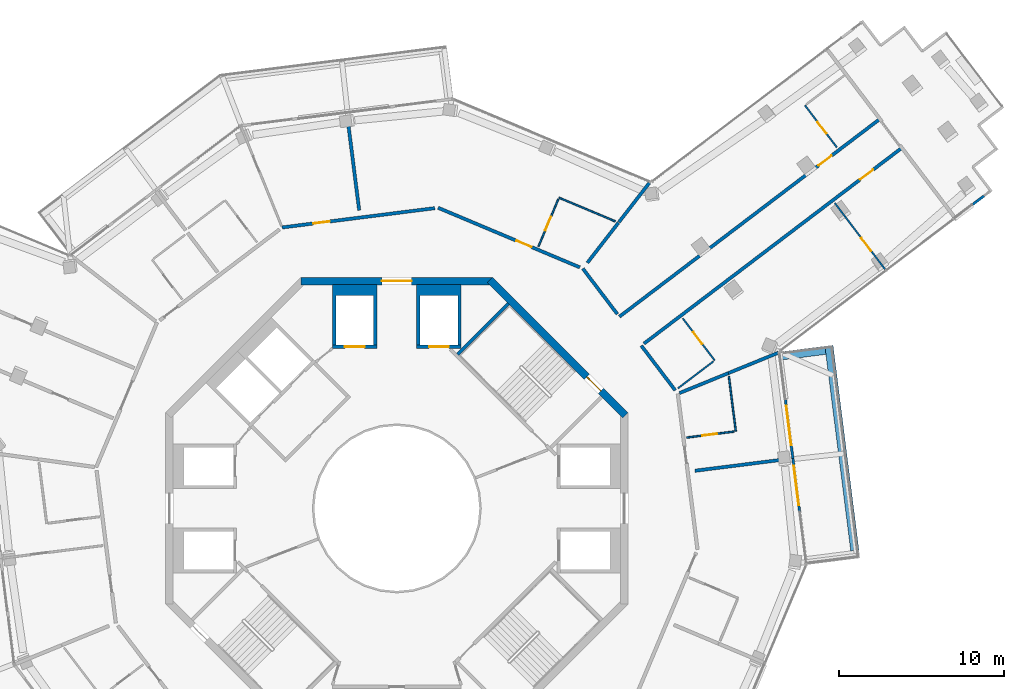
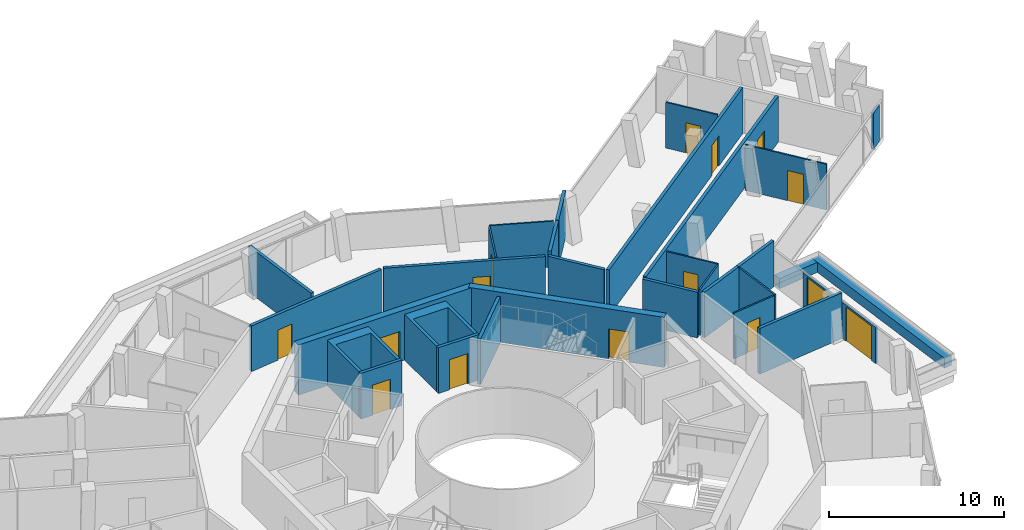
# One storey, part 22 of 26: 32 walls, 15 doors, 15 openings.
"""IFC4 building model written with IfcOpenShell, lengths in metres."""

from ifc_helpers import new_model, si_unit, direction, frame, frame_2d, origin, place, context, subcontext, project, spatial, polyline, rectangle, outline, extrude, material, layer, layer_set, type_object, element, fill, save


model = new_model("IFC4")

# Units and contexts
model_context = context("Model", 3, precision=1e-05, world=origin(), true_north=direction((0.0, 1.0)))
body_context = subcontext(model_context, "Body", "Model", "MODEL_VIEW")
ifc_project = project(units=[si_unit("LENGTHUNIT", "METRE"), si_unit("AREAUNIT", "SQUARE_METRE"), si_unit("VOLUMEUNIT", "CUBIC_METRE"), si_unit("PLANEANGLEUNIT", "RADIAN"), si_unit("MASSUNIT", "GRAM", prefix="KILO")], contexts=[model_context])

# Site, building, storey
site_placement = place(None, origin())
site = spatial("IfcSite", under=ifc_project, at=site_placement, CompositionType="ELEMENT")
building_placement = place(site_placement, origin())
building = spatial("IfcBuilding", under=site, at=building_placement, Name="Verdalira Terraces Hotel", CompositionType="ELEMENT")
storey_placement = place(building_placement, frame((0.0, 0.0, 306.5)))
storey = spatial("IfcBuildingStorey", under=building, at=storey_placement, Name="L76", CompositionType="ELEMENT", Elevation=306.5)

# Walls
ifc_material_1 = material(Name="Concrete C40", Category="concrete")
ifc_layer_1 = layer(ifc_material_1, 0.5)
ifc_layer_set_1 = layer_set([ifc_layer_1], Name="Balcony planter trough with tree")
wall_type_1 = type_object("IfcWallType", Name="Balcony planter trough with tree", PredefinedType="SOLIDWALL", material=ifc_layer_set_1)
wall_1_placement = place(storey_placement, frame((27.74585, -2.54248, 0.0), z_axis=(0.0, 0.0, 1.0), x_axis=(-0.125332712, 0.992114767, 0.0)))
element("IfcWall", 1, at=wall_1_placement, inside=storey, type_object=wall_type_1, Name="Balcony planter", PredefinedType="SOLIDWALL", context=body_context, shape_type="SweptSolid", body=[
    extrude(rectangle(XDim=12.5, YDim=0.5, at=frame_2d((6.25, 0.0))), origin(), (0.0, 0.0, 1.0), 0.699951),
])
wall_2_placement = place(storey_placement, frame((25.962402, 9.57959, 0.0), z_axis=(0.0, 0.0, 1.0), x_axis=(-0.992109984, -0.125370572, 0.0)))
element("IfcWall", 2, at=wall_2_placement, inside=storey, type_object=wall_type_1, Name="Balcony planter", PredefinedType="SOLIDWALL", context=body_context, shape_type="SweptSolid", body=[
    extrude(rectangle(XDim=2.698975, YDim=0.5, at=frame_2d((1.349609, 0.0))), origin(), (0.0, 0.0, 1.0), 0.699951),
])

# Wall, opening, door
ifc_material_2 = material(Name="Moisture-resistant gypsum board partition")
ifc_layer_2 = layer(ifc_material_2, 0.10009765625)
ifc_layer_set_2 = layer_set([ifc_layer_2], Name="Bathroom partition 100 mm")
wall_type_2 = type_object("IfcWallType", Name="Bathroom partition 100 mm", PredefinedType="PARTITIONING", material=ifc_layer_set_2)
wall_3_placement = place(storey_placement, frame((9.781494, 18.731445, 0.0), z_axis=(0.0, 0.0, 1.0), x_axis=(-0.3875605, -0.92184427, 0.0)))
wall_3 = element("IfcWall", 3, at=wall_3_placement, inside=storey, type_object=wall_type_2, Name="Bathroom partition", PredefinedType="PARTITIONING", context=body_context, shape_type="SweptSolid", body=[
    extrude(rectangle(XDim=3.099854, YDim=0.100098, at=frame_2d((1.549805, 0.0))), origin(), (0.0, 0.0, 1.0), 3.189941),
])
opening_1_placement = place(wall_3_placement, frame((1.149902, 0.0, 0.0)))
opening_1 = element("IfcOpeningElement", 4, at=opening_1_placement, cuts=wall_3, Name="Opening L76-128", PredefinedType="OPENING", context=body_context, shape_type="SweptSolid", body=[
    extrude(rectangle(XDim=0.899902, YDim=2.100098, at=frame_2d((0.449951, 1.050049))), frame((0.0, 0.060059, 0.0), z_axis=(0.0, -1.0, 0.0), x_axis=(1.0, 0.0, 0.0)), (0.0, 0.0, 1.0), 0.120117),
])
ifc_material_3 = material(Name="Timber door", Category="wood")
door_type_1 = type_object("IfcDoorType", Name="Bathroom door 900 x 2100", OperationType="NOTDEFINED", PredefinedType="DOOR", material=ifc_material_3)
door_1_placement = place(opening_1_placement, origin())
door_1 = element("IfcDoor", 5, at=door_1_placement, inside=storey, type_object=door_type_1, Name="Bathroom door 7611", OperationType="SINGLE_SWING_LEFT", OverallHeight=2.10009765625, OverallWidth=0.89990234375, PredefinedType="DOOR", context=body_context, shape_type="SweptSolid", body=[
    extrude(rectangle(XDim=0.899902, YDim=2.100098, at=frame_2d((0.449951, 1.050049))), frame((0.0, 0.024902, 0.0), z_axis=(0.0, -1.0, 0.0), x_axis=(1.0, 0.0, 0.0)), (0.0, 0.0, 1.0), 0.050049),
])
fill(opening_1, door_1)

# Walls
wall_4_placement = place(storey_placement, frame((9.820068, 18.82373, 0.0), z_axis=(0.0, 0.0, 1.0), x_axis=(0.921867226, -0.387505893, 0.0)))
element("IfcWall", 6, at=wall_4_placement, inside=storey, type_object=wall_type_2, Name="Bathroom partition", PredefinedType="PARTITIONING", context=body_context, shape_type="SweptSolid", body=[
    extrude(rectangle(XDim=3.703857, YDim=0.100098, at=frame_2d((1.852051, 0.0))), origin(), (0.0, 0.0, 1.0), 3.189941),
])
wall_5_placement = place(storey_placement, frame((17.024902, 7.273193, 0.0), z_axis=(0.0, 0.0, 1.0), x_axis=(0.796580163, 0.604532914, 0.0)))
element("IfcWall", 7, at=wall_5_placement, inside=storey, type_object=wall_type_2, Name="Bathroom partition", PredefinedType="PARTITIONING", context=body_context, shape_type="SweptSolid", body=[
    extrude(rectangle(XDim=2.700195, YDim=0.100098, at=frame_2d((1.350098, 0.0))), origin(), (0.0, 0.0, 1.0), 3.189941),
])

# Wall, opening, door
wall_6_placement = place(storey_placement, frame((19.255371, 8.966064, 0.0), z_axis=(0.0, 0.0, 1.0), x_axis=(-0.604628578, 0.796507553, 0.0)))
wall_6 = element("IfcWall", 8, at=wall_6_placement, inside=storey, type_object=wall_type_2, Name="Bathroom partition", PredefinedType="PARTITIONING", context=body_context, shape_type="SweptSolid", body=[
    extrude(rectangle(XDim=3.199951, YDim=0.100098, at=frame_2d((1.600098, 0.0))), origin(), (0.0, 0.0, 1.0), 3.189941),
])
opening_2_placement = place(wall_6_placement, frame((1.25, 0.0, 0.0)))
opening_2 = element("IfcOpeningElement", 9, at=opening_2_placement, cuts=wall_6, Name="Opening L76-124", PredefinedType="OPENING", context=body_context, shape_type="SweptSolid", body=[
    extrude(rectangle(XDim=0.899902, YDim=2.100098, at=frame_2d((0.449951, 1.050049))), frame((0.0, 0.060059, 0.0), z_axis=(0.0, -1.0, 0.0), x_axis=(1.0, 0.0, 0.0)), (0.0, 0.0, 1.0), 0.120117),
])
door_2_placement = place(opening_2_placement, origin())
door_2 = element("IfcDoor", 10, at=door_2_placement, inside=storey, type_object=door_type_1, Name="Bathroom door 7609", OperationType="SINGLE_SWING_LEFT", OverallHeight=2.10009765625, OverallWidth=0.89990234375, PredefinedType="DOOR", context=body_context, shape_type="SweptSolid", body=[
    extrude(rectangle(XDim=0.899902, YDim=2.100098, at=frame_2d((0.449951, 1.050049))), frame((0.0, 0.024902, 0.0), z_axis=(0.0, -1.0, 0.0), x_axis=(1.0, 0.0, 0.0)), (0.0, 0.0, 1.0), 0.050049),
])
fill(opening_2, door_2)

wall_7_placement = place(storey_placement, frame((17.558594, 4.292969, 0.0), z_axis=(0.0, 0.0, 1.0), x_axis=(0.992122987, 0.125267629, 0.0)))
wall_7 = element("IfcWall", 11, at=wall_7_placement, inside=storey, type_object=wall_type_2, Name="Bathroom partition", PredefinedType="PARTITIONING", context=body_context, shape_type="SweptSolid", body=[
    extrude(rectangle(XDim=2.900146, YDim=0.100098, at=frame_2d((1.450195, 0.0))), origin(), (0.0, 0.0, 1.0), 3.189941),
])
opening_3_placement = place(wall_7_placement, frame((0.949951, 0.0, 0.0)))
opening_3 = element("IfcOpeningElement", 12, at=opening_3_placement, cuts=wall_7, Name="Opening L76-121", PredefinedType="OPENING", context=body_context, shape_type="SweptSolid", body=[
    extrude(rectangle(XDim=0.899902, YDim=2.100098, at=frame_2d((0.449951, 1.050049))), frame((0.0, 0.060059, 0.0), z_axis=(0.0, -1.0, 0.0), x_axis=(1.0, 0.0, 0.0)), (0.0, 0.0, 1.0), 0.120117),
])
door_3_placement = place(opening_3_placement, origin())
door_3 = element("IfcDoor", 13, at=door_3_placement, inside=storey, type_object=door_type_1, Name="Bathroom door 7608", OperationType="SINGLE_SWING_RIGHT", OverallHeight=2.10009765625, OverallWidth=0.89990234375, PredefinedType="DOOR", context=body_context, shape_type="SweptSolid", body=[
    extrude(rectangle(XDim=0.899902, YDim=2.100098, at=frame_2d((0.449951, 1.050049))), frame((0.0, 0.024902, 0.0), z_axis=(0.0, -1.0, 0.0), x_axis=(1.0, 0.0, 0.0)), (0.0, 0.0, 1.0), 0.050049),
])
fill(opening_3, door_3)

# Wall
wall_8_placement = place(storey_placement, frame((20.115234, 7.99292, 0.0), z_axis=(0.0, 0.0, 1.0), x_axis=(0.125335063, -0.99211447, 0.0)))
element("IfcWall", 14, at=wall_8_placement, inside=storey, type_object=wall_type_2, Name="Bathroom partition", PredefinedType="PARTITIONING", context=body_context, shape_type="SweptSolid", body=[
    extrude(rectangle(XDim=3.350342, YDim=0.100098, at=frame_2d((1.675293, 0.0))), origin(), (0.0, 0.0, 1.0), 3.189941),
])

# Wall, opening, door
wall_9_placement = place(storey_placement, frame((24.724365, 24.416504, 0.0), z_axis=(0.0, 0.0, 1.0), x_axis=(0.604591838, -0.796535442, 0.0)))
wall_9 = element("IfcWall", 15, at=wall_9_placement, inside=storey, type_object=wall_type_2, Name="Bathroom partition", PredefinedType="PARTITIONING", context=body_context, shape_type="SweptSolid", body=[
    extrude(rectangle(XDim=3.200195, YDim=0.100098, at=frame_2d((1.600098, 0.0))), origin(), (0.0, 0.0, 1.0), 3.189941),
])
opening_4_placement = place(wall_9_placement, frame((1.25, 0.0, 0.0)))
opening_4 = element("IfcOpeningElement", 16, at=opening_4_placement, cuts=wall_9, Name="Opening L76-126", PredefinedType="OPENING", context=body_context, shape_type="SweptSolid", body=[
    extrude(rectangle(XDim=0.899902, YDim=2.100098, at=frame_2d((0.449951, 1.050049))), frame((0.0, 0.060059, 0.0), z_axis=(0.0, -1.0, 0.0), x_axis=(1.0, 0.0, 0.0)), (0.0, 0.0, 1.0), 0.120117),
])
door_4_placement = place(opening_4_placement, origin())
door_4 = element("IfcDoor", 17, at=door_4_placement, inside=storey, type_object=door_type_1, Name="Bathroom door 7610", OperationType="SINGLE_SWING_LEFT", OverallHeight=2.10009765625, OverallWidth=0.89990234375, PredefinedType="DOOR", context=body_context, shape_type="SweptSolid", body=[
    extrude(rectangle(XDim=0.899902, YDim=2.100098, at=frame_2d((0.449951, 1.050049))), frame((0.0, 0.024902, 0.0), z_axis=(0.0, -1.0, 0.0), x_axis=(1.0, 0.0, 0.0)), (0.0, 0.0, 1.0), 0.050049),
])
fill(opening_4, door_4)

wall_10_placement = place(storey_placement, frame((29.580811, 14.480957, 0.0), z_axis=(0.0, 0.0, 1.0), x_axis=(-0.604600198, 0.796529096, 0.0)))
wall_10 = element("IfcWall", 18, at=wall_10_placement, inside=storey, type_object=wall_type_2, Name="Bathroom partition", PredefinedType="PARTITIONING", context=body_context, shape_type="SweptSolid", body=[
    extrude(rectangle(XDim=5.050049, YDim=0.100098, at=frame_2d((2.524902, 0.0))), origin(), (0.0, 0.0, 1.0), 3.189941),
])
opening_5_placement = place(wall_10_placement, frame((1.399902, 0.0, 0.0)))
opening_5 = element("IfcOpeningElement", 19, at=opening_5_placement, cuts=wall_10, Name="Opening L76-123", PredefinedType="OPENING", context=body_context, shape_type="SweptSolid", body=[
    extrude(rectangle(XDim=1.0, YDim=2.100098, at=frame_2d((0.5, 1.050049))), frame((0.0, 0.060059, 0.0), z_axis=(0.0, -1.0, 0.0), x_axis=(1.0, 0.0, 0.0)), (0.0, 0.0, 1.0), 0.120117),
])
ifc_material_4 = material(Name="Timber door", Category="wood")
door_type_2 = type_object("IfcDoorType", Name="Suite internal door 1000 x 2100", OperationType="NOTDEFINED", PredefinedType="DOOR", material=ifc_material_4)
door_5_placement = place(opening_5_placement, origin())
door_5 = element("IfcDoor", 20, at=door_5_placement, inside=storey, type_object=door_type_2, Name="Suite internal door 7609", OperationType="SINGLE_SWING_LEFT", OverallHeight=2.10009765625, OverallWidth=1.0, PredefinedType="DOOR", context=body_context, shape_type="SweptSolid", body=[
    extrude(rectangle(XDim=1.0, YDim=2.100098, at=frame_2d((0.5, 1.050049))), frame((0.0, 0.024902, 0.0), z_axis=(0.0, -1.0, 0.0), x_axis=(1.0, 0.0, 0.0)), (0.0, 0.0, 1.0), 0.050049),
])
fill(opening_5, door_5)

# Wall
ifc_material_5 = material(Name="Concrete C50", Category="concrete")
ifc_layer_3 = layer(ifc_material_5, 0.199951171875)
ifc_layer_set_3 = layer_set([ifc_layer_3], Name="Core RC wall 200 C50")
wall_type_3 = type_object("IfcWallType", Name="Core RC wall 200 C50", PredefinedType="SOLIDWALL", material=ifc_layer_set_3)
wall_11_placement = place(storey_placement, origin())
element("IfcWall", 21, at=wall_11_placement, inside=storey, type_object=wall_type_3, Name="L76 shaft wall N1", PredefinedType="SOLIDWALL", context=body_context, shape_type="SweptSolid", body=[
    extrude(outline(polyline([(3.899902, 9.899902), (3.699951, 9.899902), (3.699951, 12.899902), (1.399902, 12.899902), (1.399902, 9.899902), (1.199951, 9.899902), (1.199951, 13.550049), (3.899902, 13.550049), (3.899902, 9.899902)])), origin(), (0.0, 0.0, 1.0), 3.189941),
])

# Wall, opening, door
wall_12_placement = place(storey_placement, frame((1.199951, 9.800049, 0.0), z_axis=(0.0, 0.0, 1.0), x_axis=(1.0, 0.0, 0.0)))
wall_12 = element("IfcWall", 22, at=wall_12_placement, inside=storey, type_object=wall_type_3, Name="L76 shaft front wall N1", PredefinedType="SOLIDWALL", context=body_context, shape_type="SweptSolid", body=[
    extrude(rectangle(XDim=2.699951, YDim=0.199951, at=frame_2d((1.350098, 0.0))), origin(), (0.0, 0.0, 1.0), 3.189941),
])
opening_6_placement = place(wall_12_placement, frame((0.75, 0.0, 0.0)))
opening_6 = element("IfcOpeningElement", 23, at=opening_6_placement, cuts=wall_12, Name="Opening LD-L76-804", PredefinedType="OPENING", context=body_context, shape_type="SweptSolid", body=[
    extrude(rectangle(XDim=1.199951, YDim=2.100098, at=frame_2d((0.600098, 1.050049))), frame((0.0, 0.109863, 0.0), z_axis=(0.0, -1.0, 0.0), x_axis=(1.0, 0.0, 0.0)), (0.0, 0.0, 1.0), 0.219971),
])
ifc_material_6 = material(Name="Stainless steel", Category="steel")
door_type_3 = type_object("IfcDoorType", Name="Landing door 1200 x 2100", OperationType="NOTDEFINED", PredefinedType="DOOR", material=ifc_material_6)
door_6_placement = place(opening_6_placement, origin())
door_6 = element("IfcDoor", 24, at=door_6_placement, inside=storey, type_object=door_type_3, Name="Lift landing door HR3 L76", OperationType="DOUBLE_DOOR_SLIDING", OverallHeight=2.10009765625, OverallWidth=1.199951171875, PredefinedType="DOOR", context=body_context, shape_type="SweptSolid", body=[
    extrude(rectangle(XDim=1.199951, YDim=2.100098, at=frame_2d((0.600098, 1.050049))), frame((0.0, 0.024902, 0.0), z_axis=(0.0, -1.0, 0.0), x_axis=(1.0, 0.0, 0.0)), (0.0, 0.0, 1.0), 0.050049),
])
fill(opening_6, door_6)

# Wall
wall_13_placement = place(storey_placement, origin())
element("IfcWall", 25, at=wall_13_placement, inside=storey, type_object=wall_type_3, Name="L76 shaft wall N2", PredefinedType="SOLIDWALL", context=body_context, shape_type="SweptSolid", body=[
    extrude(outline(polyline([(-3.899902, 13.550049), (-1.199951, 13.550049), (-1.199951, 9.899902), (-1.399902, 9.899902), (-1.399902, 12.899902), (-3.699951, 12.899902), (-3.699951, 9.899902), (-3.899902, 9.899902), (-3.899902, 13.550049)])), origin(), (0.0, 0.0, 1.0), 3.189941),
])

# Wall, opening, door
wall_14_placement = place(storey_placement, frame((-1.199951, 9.800049, 0.0), z_axis=(0.0, 0.0, 1.0), x_axis=(-1.0, 0.0, 0.0)))
wall_14 = element("IfcWall", 26, at=wall_14_placement, inside=storey, type_object=wall_type_3, Name="L76 shaft front wall N2", PredefinedType="SOLIDWALL", context=body_context, shape_type="SweptSolid", body=[
    extrude(rectangle(XDim=2.699951, YDim=0.199951, at=frame_2d((1.350098, 0.0))), origin(), (0.0, 0.0, 1.0), 3.189941),
])
opening_7_placement = place(wall_14_placement, frame((0.75, 0.0, 0.0)))
opening_7 = element("IfcOpeningElement", 27, at=opening_7_placement, cuts=wall_14, Name="Opening LD-L76-805", PredefinedType="OPENING", context=body_context, shape_type="SweptSolid", body=[
    extrude(rectangle(XDim=1.199951, YDim=2.100098, at=frame_2d((0.600098, 1.050049))), frame((0.0, 0.109863, 0.0), z_axis=(0.0, -1.0, 0.0), x_axis=(1.0, 0.0, 0.0)), (0.0, 0.0, 1.0), 0.219971),
])
door_7_placement = place(opening_7_placement, origin())
door_7 = element("IfcDoor", 28, at=door_7_placement, inside=storey, type_object=door_type_3, Name="Lift landing door HR4 L76", OperationType="DOUBLE_DOOR_SLIDING", OverallHeight=2.10009765625, OverallWidth=1.199951171875, PredefinedType="DOOR", context=body_context, shape_type="SweptSolid", body=[
    extrude(rectangle(XDim=1.199951, YDim=2.100098, at=frame_2d((0.600098, 1.050049))), frame((0.0, 0.024902, 0.0), z_axis=(0.0, -1.0, 0.0), x_axis=(1.0, 0.0, 0.0)), (0.0, 0.0, 1.0), 0.050049),
])
fill(opening_7, door_7)

# Wall
wall_15_placement = place(storey_placement, frame((3.677002, 9.33374, 0.0), z_axis=(0.0, 0.0, 1.0), x_axis=(0.707106781, 0.707106781, 0.0)))
element("IfcWall", 29, at=wall_15_placement, inside=storey, type_object=wall_type_3, Name="L76 stair ST1 end wall 2", PredefinedType="SOLIDWALL", context=body_context, shape_type="SweptSolid", body=[
    extrude(rectangle(XDim=4.350098, YDim=0.199951, at=frame_2d((2.175049, 0.0))), origin(), (0.0, 0.0, 1.0), 3.189941),
])

# Wall, opening, door
ifc_material_7 = material(Name="Concrete C50", Category="concrete")
ifc_layer_4 = layer(ifc_material_7, 0.449951171875)
ifc_layer_set_4 = layer_set([ifc_layer_4], Name="Core wall 450 C50")
wall_type_4 = type_object("IfcWallType", Name="Core wall 450 C50", PredefinedType="SHEAR", material=ifc_layer_set_4)
wall_16_placement = place(storey_placement, frame((13.84082, 5.639893, 0.0), z_axis=(0.0, 0.0, 1.0), x_axis=(-0.707106781, 0.707106781, 0.0)))
wall_16 = element("IfcWall", 30, at=wall_16_placement, inside=storey, type_object=wall_type_4, Name="Core wall CW-L76-2", PredefinedType="SHEAR", context=body_context, shape_type="SweptSolid", body=[
    extrude(rectangle(XDim=11.5979, YDim=0.449951, at=frame_2d((5.798828, 0.0))), origin(), (0.0, 0.0, 1.0), 3.5),
])
opening_8_placement = place(wall_16_placement, frame((2.099121, 0.0, 0.0)))
opening_8 = element("IfcOpeningElement", 31, at=opening_8_placement, cuts=wall_16, Name="Opening L76-816", PredefinedType="OPENING", context=body_context, shape_type="SweptSolid", body=[
    extrude(rectangle(XDim=1.199951, YDim=2.100098, at=frame_2d((0.600098, 1.050049))), frame((0.0, 0.234863, 0.0), z_axis=(0.0, -1.0, 0.0), x_axis=(1.0, 0.0, 0.0)), (0.0, 0.0, 1.0), 0.469971),
])
ifc_material_8 = material(Name="Steel fire door", Category="steel")
door_type_4 = type_object("IfcDoorType", Name="Stair door 1200 x 2100", OperationType="NOTDEFINED", PredefinedType="DOOR", material=ifc_material_8)
door_8_placement = place(opening_8_placement, origin())
door_8 = element("IfcDoor", 32, at=door_8_placement, inside=storey, type_object=door_type_4, Name="Stair exit door ST1 L76", OperationType="SINGLE_SWING_LEFT", OverallHeight=2.10009765625, OverallWidth=1.199951171875, PredefinedType="DOOR", context=body_context, shape_type="SweptSolid", body=[
    extrude(rectangle(XDim=1.199951, YDim=2.100098, at=frame_2d((0.600098, 1.050049))), frame((0.0, 0.024902, 0.0), z_axis=(0.0, -1.0, 0.0), x_axis=(1.0, 0.0, 0.0)), (0.0, 0.0, 1.0), 0.050049),
])
fill(opening_8, door_8)

wall_17_placement = place(storey_placement, frame((5.799072, 13.774902, 0.0), z_axis=(0.0, 0.0, 1.0), x_axis=(-1.0, 0.0, 0.0)))
wall_17 = element("IfcWall", 33, at=wall_17_placement, inside=storey, type_object=wall_type_4, Name="Core wall CW-L76-3", PredefinedType="SHEAR", context=body_context, shape_type="SweptSolid", body=[
    extrude(rectangle(XDim=11.598145, YDim=0.449951, at=frame_2d((5.799072, 0.0))), origin(), (0.0, 0.0, 1.0), 3.5),
])
opening_9_placement = place(wall_17_placement, frame((4.898926, 0.0, 0.0)))
opening_9 = element("IfcOpeningElement", 34, at=opening_9_placement, cuts=wall_17, Name="Opening L76-814", PredefinedType="OPENING", context=body_context, shape_type="SweptSolid", body=[
    extrude(rectangle(XDim=1.800049, YDim=2.100098, at=frame_2d((0.899902, 1.050049))), frame((0.0, 0.234863, 0.0), z_axis=(0.0, -1.0, 0.0), x_axis=(1.0, 0.0, 0.0)), (0.0, 0.0, 1.0), 0.469971),
])
ifc_material_9 = material(Name="Steel fire door", Category="steel")
door_type_5 = type_object("IfcDoorType", Name="Core entry door pair 1800 x 2100", OperationType="NOTDEFINED", PredefinedType="DOOR", material=ifc_material_9)
door_9_placement = place(opening_9_placement, origin())
door_9 = element("IfcDoor", 35, at=door_9_placement, inside=storey, type_object=door_type_5, Name="Core entry door L76 2", OperationType="DOUBLE_DOOR_SINGLE_SWING", OverallHeight=2.10009765625, OverallWidth=1.800048828125, PredefinedType="DOOR", context=body_context, shape_type="SweptSolid", body=[
    extrude(rectangle(XDim=1.800049, YDim=2.100098, at=frame_2d((0.899902, 1.050049))), frame((0.0, 0.024902, 0.0), z_axis=(0.0, -1.0, 0.0), x_axis=(1.0, 0.0, 0.0)), (0.0, 0.0, 1.0), 0.050049),
])
fill(opening_9, door_9)

# Walls
ifc_material_10 = material(Name="Fire-rated gypsum board wall")
ifc_layer_5 = layer(ifc_material_10, 0.199951171875)
ifc_layer_set_5 = layer_set([ifc_layer_5], Name="Demising wall 200 mm")
wall_type_5 = type_object("IfcWallType", Name="Demising wall 200 mm", PredefinedType="SOLIDWALL", material=ifc_layer_set_5)
wall_18_placement = place(storey_placement, frame((-2.281738, 18.062012, 0.0), z_axis=(0.0, 0.0, 1.0), x_axis=(-0.125322535, 0.992116053, 0.0)))
element("IfcWall", 36, at=wall_18_placement, inside=storey, type_object=wall_type_5, Name="Demising wall", PredefinedType="SOLIDWALL", context=body_context, shape_type="SweptSolid", body=[
    extrude(rectangle(XDim=5.902832, YDim=0.199951, at=frame_2d((2.951416, 0.0))), origin(), (0.0, 0.0, 1.0), 3.189941),
])
wall_19_placement = place(storey_placement, frame((11.542236, 14.880127, 0.0), z_axis=(0.0, 0.0, 1.0), x_axis=(0.612879169, 0.790176641, 0.0)))
element("IfcWall", 37, at=wall_19_placement, inside=storey, type_object=wall_type_5, Name="Demising wall", PredefinedType="SOLIDWALL", context=body_context, shape_type="SweptSolid", body=[
    extrude(rectangle(XDim=3.074951, YDim=0.199951, at=frame_2d((1.537598, 0.0))), origin(), (0.0, 0.0, 1.0), 3.189941),
])
wall_20_placement = place(storey_placement, frame((13.454834, 17.345947, 0.0), z_axis=(0.0, 0.0, 1.0), x_axis=(0.612879307, 0.790176534, 0.0)))
element("IfcWall", 38, at=wall_20_placement, inside=storey, type_object=wall_type_5, Name="Demising wall", PredefinedType="SOLIDWALL", context=body_context, shape_type="SweptSolid", body=[
    extrude(rectangle(XDim=3.011475, YDim=0.199951, at=frame_2d((1.505859, 0.0))), origin(), (0.0, 0.0, 1.0), 3.189941),
])
wall_21_placement = place(storey_placement, frame((17.11792, 6.985596, 0.0), z_axis=(0.0, 0.0, 1.0), x_axis=(0.925856878, 0.377874372, 0.0)))
element("IfcWall", 39, at=wall_21_placement, inside=storey, type_object=wall_type_5, Name="Demising wall", PredefinedType="SOLIDWALL", context=body_context, shape_type="SweptSolid", body=[
    extrude(rectangle(XDim=3.209229, YDim=0.199951, at=frame_2d((1.604492, 0.0))), origin(), (0.0, 0.0, 1.0), 3.189941),
])
wall_22_placement = place(storey_placement, frame((18.062012, 2.281738, 0.0), z_axis=(0.0, 0.0, 1.0), x_axis=(0.992116053, 0.125322535, 0.0)))
element("IfcWall", 40, at=wall_22_placement, inside=storey, type_object=wall_type_5, Name="Demising wall", PredefinedType="SOLIDWALL", context=body_context, shape_type="SweptSolid", body=[
    extrude(rectangle(XDim=5.902832, YDim=0.199951, at=frame_2d((2.951416, 0.0))), origin(), (0.0, 0.0, 1.0), 3.189941),
])
wall_23_placement = place(storey_placement, frame((20.089111, 8.198242, 0.0), z_axis=(0.0, 0.0, 1.0), x_axis=(0.925882328, 0.377812009, 0.0)))
element("IfcWall", 41, at=wall_23_placement, inside=storey, type_object=wall_type_5, Name="Demising wall", PredefinedType="SOLIDWALL", context=body_context, shape_type="SweptSolid", body=[
    extrude(rectangle(XDim=3.266602, YDim=0.199951, at=frame_2d((1.633301, 0.0))), origin(), (0.0, 0.0, 1.0), 3.189941),
])

# Wall, opening, door
ifc_material_11 = material(Name="Fire-rated gypsum board wall")
ifc_layer_6 = layer(ifc_material_11, 0.199951171875)
ifc_layer_set_6 = layer_set([ifc_layer_6], Name="Guest corridor wall 200 mm")
wall_type_6 = type_object("IfcWallType", Name="Guest corridor wall 200 mm", PredefinedType="SOLIDWALL", material=ifc_layer_set_6)
wall_24_placement = place(storey_placement, frame((-6.946533, 17.021973, 0.0), z_axis=(0.0, 0.0, 1.0), x_axis=(0.992116583, 0.125318334, 0.0)))
wall_24 = element("IfcWall", 42, at=wall_24_placement, inside=storey, type_object=wall_type_6, Name="Guest corridor wall", PredefinedType="SOLIDWALL", context=body_context, shape_type="SweptSolid", body=[
    extrude(rectangle(XDim=9.316162, YDim=0.199951, at=frame_2d((4.658203, 0.0))), origin(), (0.0, 0.0, 1.0), 3.189941),
])
opening_10_placement = place(wall_24_placement, frame((1.899902, 0.0, 0.0)))
opening_10 = element("IfcOpeningElement", 43, at=opening_10_placement, cuts=wall_24, Name="Opening L76-129", PredefinedType="OPENING", context=body_context, shape_type="SweptSolid", body=[
    extrude(rectangle(XDim=1.0, YDim=2.100098, at=frame_2d((0.5, 1.050049))), frame((0.0, 0.109863, 0.0), z_axis=(0.0, -1.0, 0.0), x_axis=(1.0, 0.0, 0.0)), (0.0, 0.0, 1.0), 0.219971),
])
ifc_material_12 = material(Name="Timber fire door", Category="wood")
door_type_6 = type_object("IfcDoorType", Name="Guest entry door 1000 x 2100", OperationType="NOTDEFINED", PredefinedType="DOOR", material=ifc_material_12)
door_10_placement = place(opening_10_placement, origin())
door_10 = element("IfcDoor", 44, at=door_10_placement, inside=storey, type_object=door_type_6, Name="Guest entry door 7612", OperationType="SINGLE_SWING_LEFT", OverallHeight=2.10009765625, OverallWidth=1.0, PredefinedType="DOOR", context=body_context, shape_type="SweptSolid", body=[
    extrude(rectangle(XDim=1.0, YDim=2.100098, at=frame_2d((0.5, 1.050049))), frame((0.0, 0.024902, 0.0), z_axis=(0.0, -1.0, 0.0), x_axis=(1.0, 0.0, 0.0)), (0.0, 0.0, 1.0), 0.050049),
])
fill(opening_10, door_10)

wall_25_placement = place(storey_placement, frame((2.495605, 18.2146, 0.0), z_axis=(0.0, 0.0, 1.0), x_axis=(0.92185425, -0.387536761, 0.0)))
wall_25 = element("IfcWall", 45, at=wall_25_placement, inside=storey, type_object=wall_type_6, Name="Guest corridor wall", PredefinedType="SOLIDWALL", context=body_context, shape_type="SweptSolid", body=[
    extrude(rectangle(XDim=9.316162, YDim=0.199951, at=frame_2d((4.658203, 0.0))), origin(), (0.0, 0.0, 1.0), 3.189941),
])
opening_11_placement = place(wall_25_placement, frame((5.149902, 0.0, 0.0)))
opening_11 = element("IfcOpeningElement", 46, at=opening_11_placement, cuts=wall_25, Name="Opening L76-127", PredefinedType="OPENING", context=body_context, shape_type="SweptSolid", body=[
    extrude(rectangle(XDim=1.0, YDim=2.100098, at=frame_2d((0.5, 1.050049))), frame((0.0, 0.109863, 0.0), z_axis=(0.0, -1.0, 0.0), x_axis=(1.0, 0.0, 0.0)), (0.0, 0.0, 1.0), 0.219971),
])
door_11_placement = place(opening_11_placement, origin())
door_11 = element("IfcDoor", 47, at=door_11_placement, inside=storey, type_object=door_type_6, Name="Guest entry door 7611", OperationType="SINGLE_SWING_LEFT", OverallHeight=2.10009765625, OverallWidth=1.0, PredefinedType="DOOR", context=body_context, shape_type="SweptSolid", body=[
    extrude(rectangle(XDim=1.0, YDim=2.100098, at=frame_2d((0.5, 1.050049))), frame((0.0, 0.024902, 0.0), z_axis=(0.0, -1.0, 0.0), x_axis=(1.0, 0.0, 0.0)), (0.0, 0.0, 1.0), 0.050049),
])
fill(opening_11, door_11)

# Walls
wall_26_placement = place(storey_placement, frame((13.358887, 11.772217, 0.0), z_axis=(0.0, 0.0, 1.0), x_axis=(-0.604542534, 0.796572862, 0.0)))
element("IfcWall", 48, at=wall_26_placement, inside=storey, type_object=wall_type_6, Name="Guest corridor wall", PredefinedType="SOLIDWALL", context=body_context, shape_type="SweptSolid", body=[
    extrude(rectangle(XDim=3.458008, YDim=0.199951, at=frame_2d((1.729004, 0.0))), origin(), (0.0, 0.0, 1.0), 3.189941),
])
wall_27_placement = place(storey_placement, frame((16.865723, 7.152344, 0.0), z_axis=(0.0, 0.0, 1.0), x_axis=(-0.604597052, 0.796531484, 0.0)))
element("IfcWall", 49, at=wall_27_placement, inside=storey, type_object=wall_type_6, Name="Guest corridor wall", PredefinedType="SOLIDWALL", context=body_context, shape_type="SweptSolid", body=[
    extrude(rectangle(XDim=3.400146, YDim=0.199951, at=frame_2d((1.700195, 0.0))), origin(), (0.0, 0.0, 1.0), 3.189941),
])

# Wall, opening, door
wall_28_placement = place(storey_placement, frame((13.47998, 11.612793, 0.0), z_axis=(0.0, 0.0, 1.0), x_axis=(0.796526733, 0.604603311, 0.0)))
wall_28 = element("IfcWall", 50, at=wall_28_placement, inside=storey, type_object=wall_type_6, Name="Guest corridor wall", PredefinedType="SOLIDWALL", context=body_context, shape_type="SweptSolid", body=[
    extrude(rectangle(XDim=19.737549, YDim=0.199951, at=frame_2d((9.868652, 0.0))), origin(), (0.0, 0.0, 1.0), 3.189941),
])
opening_12_placement = place(wall_28_placement, frame((15.149902, 0.0, 0.0)))
opening_12 = element("IfcOpeningElement", 51, at=opening_12_placement, cuts=wall_28, Name="Opening L76-125", PredefinedType="OPENING", context=body_context, shape_type="SweptSolid", body=[
    extrude(rectangle(XDim=1.0, YDim=2.100098, at=frame_2d((0.5, 1.050049))), frame((0.0, 0.109863, 0.0), z_axis=(0.0, -1.0, 0.0), x_axis=(1.0, 0.0, 0.0)), (0.0, 0.0, 1.0), 0.219971),
])
door_12_placement = place(opening_12_placement, origin())
door_12 = element("IfcDoor", 52, at=door_12_placement, inside=storey, type_object=door_type_6, Name="Guest entry door 7610", OperationType="SINGLE_SWING_LEFT", OverallHeight=2.10009765625, OverallWidth=1.0, PredefinedType="DOOR", context=body_context, shape_type="SweptSolid", body=[
    extrude(rectangle(XDim=1.0, YDim=2.100098, at=frame_2d((0.5, 1.050049))), frame((0.0, 0.024902, 0.0), z_axis=(0.0, -1.0, 0.0), x_axis=(1.0, 0.0, 0.0)), (0.0, 0.0, 1.0), 0.050049),
])
fill(opening_12, door_12)

wall_29_placement = place(storey_placement, frame((30.531494, 21.793701, 0.0), z_axis=(0.0, 0.0, 1.0), x_axis=(-0.796528783, -0.60460061, 0.0)))
wall_29 = element("IfcWall", 53, at=wall_29_placement, inside=storey, type_object=wall_type_6, Name="Guest corridor wall", PredefinedType="SOLIDWALL", context=body_context, shape_type="SweptSolid", body=[
    extrude(rectangle(XDim=19.537354, YDim=0.199951, at=frame_2d((9.768555, 0.0))), origin(), (0.0, 0.0, 1.0), 3.189941),
])
opening_13_placement = place(wall_29_placement, frame((2.100098, 0.0, 0.0)))
opening_13 = element("IfcOpeningElement", 54, at=opening_13_placement, cuts=wall_29, Name="Opening L76-122", PredefinedType="OPENING", context=body_context, shape_type="SweptSolid", body=[
    extrude(rectangle(XDim=1.0, YDim=2.100098, at=frame_2d((0.5, 1.050049))), frame((0.0, 0.109863, 0.0), z_axis=(0.0, -1.0, 0.0), x_axis=(1.0, 0.0, 0.0)), (0.0, 0.0, 1.0), 0.219971),
])
door_13_placement = place(opening_13_placement, origin())
door_13 = element("IfcDoor", 55, at=door_13_placement, inside=storey, type_object=door_type_6, Name="Guest entry door 7609", OperationType="SINGLE_SWING_LEFT", OverallHeight=2.10009765625, OverallWidth=1.0, PredefinedType="DOOR", context=body_context, shape_type="SweptSolid", body=[
    extrude(rectangle(XDim=1.0, YDim=2.100098, at=frame_2d((0.5, 1.050049))), frame((0.0, 0.024902, 0.0), z_axis=(0.0, -1.0, 0.0), x_axis=(1.0, 0.0, 0.0)), (0.0, 0.0, 1.0), 0.050049),
])
fill(opening_13, door_13)

# Wall
ifc_material_13 = material(Name="Terracotta cladding", Category="masonry")
ifc_layer_7 = layer(ifc_material_13, 0.14990234375)
ifc_layer_set_7 = layer_set([ifc_layer_7], Name="Terracotta column pier 150")
wall_type_7 = type_object("IfcWallType", Name="Terracotta column pier 150", PredefinedType="SOLIDWALL", material=ifc_layer_set_7)
wall_30_placement = place(storey_placement, frame((34.858398, 18.392578, 0.0), z_axis=(0.0, 0.0, 1.0), x_axis=(0.796501982, 0.604635917, 0.0)))
element("IfcWall", 56, at=wall_30_placement, inside=storey, type_object=wall_type_7, Name="Terracotta column pier", PredefinedType="SOLIDWALL", context=body_context, shape_type="SweptSolid", body=[
    extrude(rectangle(XDim=0.899658, YDim=0.149902, at=frame_2d((0.449707, 0.0))), origin(), (0.0, 0.0, 1.0), 2.524902),
])

# Wall, opening, door
ifc_material_14 = material(Name="Terracotta cladding", Category="masonry")
ifc_layer_8 = layer(ifc_material_14, 0.14990234375)
ifc_layer_set_8 = layer_set([ifc_layer_8], Name="Terracotta door pier 150")
wall_type_8 = type_object("IfcWallType", Name="Terracotta door pier 150", PredefinedType="SOLIDWALL", material=ifc_layer_set_8)
wall_31_placement = place(storey_placement, frame((24.399902, -0.193359, 0.0), z_axis=(0.0, 0.0, 1.0), x_axis=(-0.125301284, 0.992118737, 0.0)))
wall_31 = element("IfcWall", 57, at=wall_31_placement, inside=storey, type_object=wall_type_8, Name="Terracotta door pier", PredefinedType="SOLIDWALL", context=body_context, shape_type="SweptSolid", body=[
    extrude(rectangle(XDim=3.25, YDim=0.149902, at=frame_2d((1.625, 0.0))), origin(), (0.0, 0.0, 1.0), 2.524902),
])
opening_14_placement = place(wall_31_placement, frame((0.399902, 0.0, 0.0)))
opening_14 = element("IfcOpeningElement", 58, at=opening_14_placement, cuts=wall_31, Name="Opening L76-B10", PredefinedType="OPENING", context=body_context, shape_type="SweptSolid", body=[
    extrude(rectangle(XDim=2.399902, YDim=2.399902, at=frame_2d((1.199951, 1.199951))), frame((0.0, 0.084961, 0.0), z_axis=(0.0, -1.0, 0.0), x_axis=(1.0, 0.0, 0.0)), (0.0, 0.0, 1.0), 0.169922),
])
ifc_material_15 = material(Name="Clear glass", Category="glass")
door_type_7 = type_object("IfcDoorType", Name="Balcony sliding door 2400x2400", OperationType="NOTDEFINED", PredefinedType="DOOR", material=ifc_material_15)
door_14_placement = place(opening_14_placement, origin())
door_14 = element("IfcDoor", 59, at=door_14_placement, inside=storey, type_object=door_type_7, Name="Balcony sliding door", OperationType="SLIDING_TO_RIGHT", OverallHeight=2.39990234375, OverallWidth=2.39990234375, PredefinedType="DOOR", context=body_context, shape_type="SweptSolid", body=[
    extrude(rectangle(XDim=2.399902, YDim=2.399902, at=frame_2d((1.199951, 1.199951))), frame((0.0, 0.024902, 0.0), z_axis=(0.0, -1.0, 0.0), x_axis=(1.0, 0.0, 0.0)), (0.0, 0.0, 1.0), 0.050049),
])
fill(opening_14, door_14)

wall_32_placement = place(storey_placement, frame((23.992676, 3.031006, 0.0), z_axis=(0.0, 0.0, 1.0), x_axis=(-0.125340977, 0.992113723, 0.0)))
wall_32 = element("IfcWall", 60, at=wall_32_placement, inside=storey, type_object=wall_type_8, Name="Terracotta door pier", PredefinedType="SOLIDWALL", context=body_context, shape_type="SweptSolid", body=[
    extrude(rectangle(XDim=3.611328, YDim=0.149902, at=frame_2d((1.805664, 0.0))), origin(), (0.0, 0.0, 1.0), 2.524902),
])
opening_15_placement = place(wall_32_placement, frame((0.811279, 0.0, 0.0)))
opening_15 = element("IfcOpeningElement", 61, at=opening_15_placement, cuts=wall_32, Name="Opening L76-B11", PredefinedType="OPENING", context=body_context, shape_type="SweptSolid", body=[
    extrude(rectangle(XDim=2.399902, YDim=2.399902, at=frame_2d((1.199951, 1.199951))), frame((0.0, 0.084961, 0.0), z_axis=(0.0, -1.0, 0.0), x_axis=(1.0, 0.0, 0.0)), (0.0, 0.0, 1.0), 0.169922),
])
door_15_placement = place(opening_15_placement, origin())
door_15 = element("IfcDoor", 62, at=door_15_placement, inside=storey, type_object=door_type_7, Name="Balcony sliding door", OperationType="SLIDING_TO_LEFT", OverallHeight=2.39990234375, OverallWidth=2.39990234375, PredefinedType="DOOR", context=body_context, shape_type="SweptSolid", body=[
    extrude(rectangle(XDim=2.399902, YDim=2.399902, at=frame_2d((1.199951, 1.199951))), frame((0.0, 0.024902, 0.0), z_axis=(0.0, -1.0, 0.0), x_axis=(1.0, 0.0, 0.0)), (0.0, 0.0, 1.0), 0.050049),
])
fill(opening_15, door_15)

save(model, "model.ifc")
